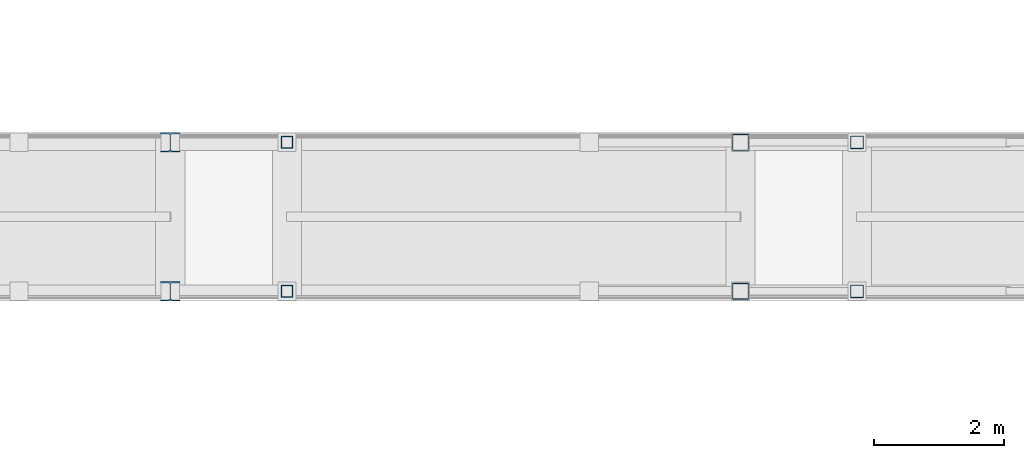
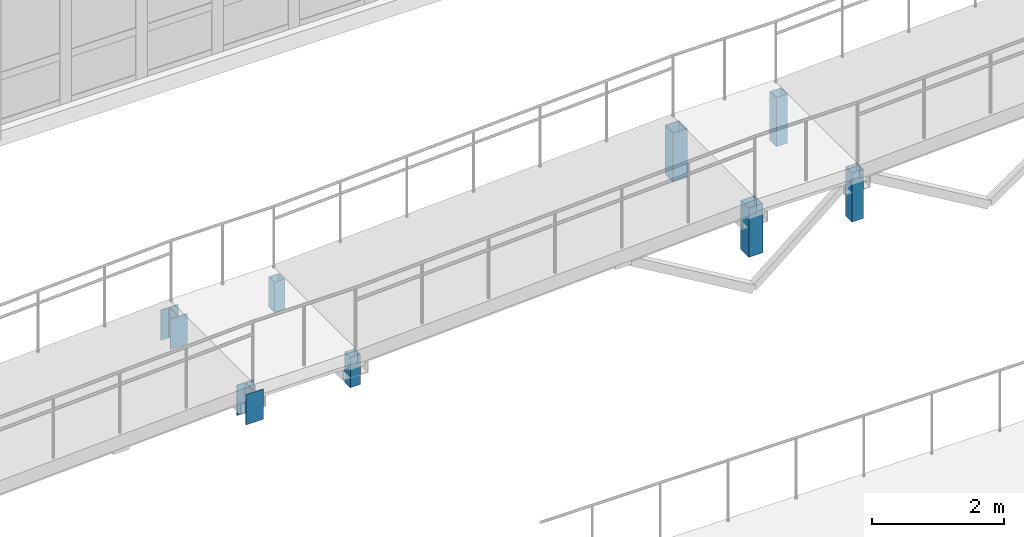
# One storey, part 27 of 90: 8 columns.
"""IFC4 building model written with IfcOpenShell, lengths in metres."""

from ifc_helpers import new_model, si_unit, direction, frame, origin, origin_2d, place, context, subcontext, project, spatial, hollow_rectangle, i_section, extrude, material, material_profile, profile_set, type_object, element, save


model = new_model("IFC4")

# Units and contexts
model_context = context("Model", 3, precision=1e-05, world=origin(), true_north=direction((0.0, 1.0)))
body_context = subcontext(model_context, "Body", "Model", "MODEL_VIEW")
ifc_project = project(units=[si_unit("LENGTHUNIT", "METRE"), si_unit("AREAUNIT", "SQUARE_METRE"), si_unit("VOLUMEUNIT", "CUBIC_METRE"), si_unit("PLANEANGLEUNIT", "RADIAN"), si_unit("MASSUNIT", "GRAM", prefix="KILO")], contexts=[model_context])

# Site, building, storey
site_placement = place(None, origin())
site = spatial("IfcSite", under=ifc_project, at=site_placement, CompositionType="ELEMENT")
building_placement = place(site_placement, origin())
building = spatial("IfcBuilding", under=site, at=building_placement, Name="Malvenik Polytechnic", CompositionType="ELEMENT")
storey_placement = place(building_placement, frame((0.0, 0.0, 9.300048828125)))
storey = spatial("IfcBuildingStorey", under=building, at=storey_placement, Name="L02", CompositionType="ELEMENT", Elevation=9.300048828125)

# Columns
ifc_material_1 = material(Name="Steel S355J2H", Category="steel")
ifc_material_profile_1 = material_profile(ifc_material_1, hollow_rectangle(XDim=0.25, YDim=0.25, WallThickness=0.010009765625, at=origin_2d()), Name="SHS 250x250x10.0")
ifc_profile_set_1 = profile_set([ifc_material_profile_1], Name="Steel S355J2H")
column_type_1 = type_object("IfcColumnType", Name="STR-SCOL-SC-01", PredefinedType="COLUMN", material=ifc_profile_set_1)
for number, where, z_axis, x_axis, name in (
    (1, (50.60009765625, 41.949951171875, 0.0), (0.0, 0.0, 1.0), (1.0, 0.0, 0.0), "Bridge-Ramp Support Column SC-01 L02"),
    (2, (50.60009765625, 44.25, 0.0), (0.0, 0.0, 1.0), (1.0, 0.0, 0.0), "Bridge-Ramp Support Column SC-01 L02"),
):
    element("IfcColumn", number, at=place(storey_placement, frame(where, z_axis=z_axis, x_axis=x_axis)), inside=storey, type_object=column_type_1, Name=name, PredefinedType="COLUMN", context=body_context, shape_type="SweptSolid", body=[
        extrude(hollow_rectangle(XDim=0.25, YDim=0.25, WallThickness=0.010009765625, at=origin_2d()), origin(), (0.0, 0.0, 1.0), 0.909912109375),
    ])
ifc_material_profile_2 = material_profile(ifc_material_1, hollow_rectangle(XDim=0.199951171875, YDim=0.199951171875, WallThickness=0.010009765625, at=origin_2d()), Name="SHS 200x200x10.0")
ifc_profile_set_2 = profile_set([ifc_material_profile_2], Name="Steel S355J2H")
column_type_2 = type_object("IfcColumnType", Name="STR-SCOL-SC-02", PredefinedType="COLUMN", material=ifc_profile_set_2)
for number, where, z_axis, x_axis, name in (
    (3, (52.39990234375, 41.949951171875, 0.0), (0.0, 0.0, 1.0), (1.0, 0.0, 0.0), "Bridge-Ramp Support Column SC-02 L02"),
    (4, (52.39990234375, 44.25, 0.0), (0.0, 0.0, 1.0), (1.0, 0.0, 0.0), "Bridge-Ramp Support Column SC-02 L02"),
):
    element("IfcColumn", number, at=place(storey_placement, frame(where, z_axis=z_axis, x_axis=x_axis)), inside=storey, type_object=column_type_2, Name=name, PredefinedType="COLUMN", context=body_context, shape_type="SweptSolid", body=[
        extrude(hollow_rectangle(XDim=0.199951171875, YDim=0.199951171875, WallThickness=0.010009765625, at=origin_2d()), origin(), (0.0, 0.0, 1.0), 0.909912109375),
    ])
ifc_material_2 = material(Name="Steel S355", Category="steel")
ifc_material_profile_3 = material_profile(ifc_material_2, i_section(OverallWidth=0.300048828125, OverallDepth=0.300048828125, WebThickness=0.010986328125, FlangeThickness=0.01904296875, FilletRadius=0.027099609375, at=origin_2d()), Name="HEB 300")
ifc_profile_set_3 = profile_set([ifc_material_profile_3], Name="Steel S355")
column_type_3 = type_object("IfcColumnType", Name="STR-SCOL-SC-05", PredefinedType="COLUMN", material=ifc_profile_set_3)
for number, where, z_axis, x_axis, name in (
    (5, (41.800048828125, 41.949951171875, 0.0), (0.0, 0.0, 1.0), (1.0, 0.0, 0.0), "Bridge-Ramp Support Column SC-05 L02"),
    (6, (41.800048828125, 44.25, 0.0), (0.0, 0.0, 1.0), (1.0, 0.0, 0.0), "Bridge-Ramp Support Column SC-05 L02"),
):
    element("IfcColumn", number, at=place(storey_placement, frame(where, z_axis=z_axis, x_axis=x_axis)), inside=storey, type_object=column_type_3, Name=name, PredefinedType="COLUMN", context=body_context, shape_type="SweptSolid", body=[
        extrude(i_section(OverallWidth=0.300048828125, OverallDepth=0.300048828125, WebThickness=0.010986328125, FlangeThickness=0.01904296875, FilletRadius=0.027099609375, at=origin_2d()), origin(), (0.0, 0.0, 1.0), 0.56005859375),
    ])
ifc_material_profile_4 = material_profile(ifc_material_1, hollow_rectangle(XDim=0.179931640625, YDim=0.179931640625, WallThickness=0.008056640625, at=origin_2d()), Name="SHS 180x180x8.0")
ifc_profile_set_4 = profile_set([ifc_material_profile_4], Name="Steel S355J2H")
column_type_4 = type_object("IfcColumnType", Name="STR-SCOL-SC-06", PredefinedType="COLUMN", material=ifc_profile_set_4)
for number, where, z_axis, x_axis, name in (
    (7, (43.60009765625, 41.949951171875, 0.0), (0.0, 0.0, 1.0), (1.0, 0.0, 0.0), "Bridge-Ramp Support Column SC-06 L02"),
    (8, (43.60009765625, 44.25, 0.0), (0.0, 0.0, 1.0), (1.0, 0.0, 0.0), "Bridge-Ramp Support Column SC-06 L02"),
):
    element("IfcColumn", number, at=place(storey_placement, frame(where, z_axis=z_axis, x_axis=x_axis)), inside=storey, type_object=column_type_4, Name=name, PredefinedType="COLUMN", context=body_context, shape_type="SweptSolid", body=[
        extrude(hollow_rectangle(XDim=0.179931640625, YDim=0.179931640625, WallThickness=0.008056640625, at=origin_2d()), origin(), (0.0, 0.0, 1.0), 0.56005859375),
    ])

save(model, "model.ifc")
